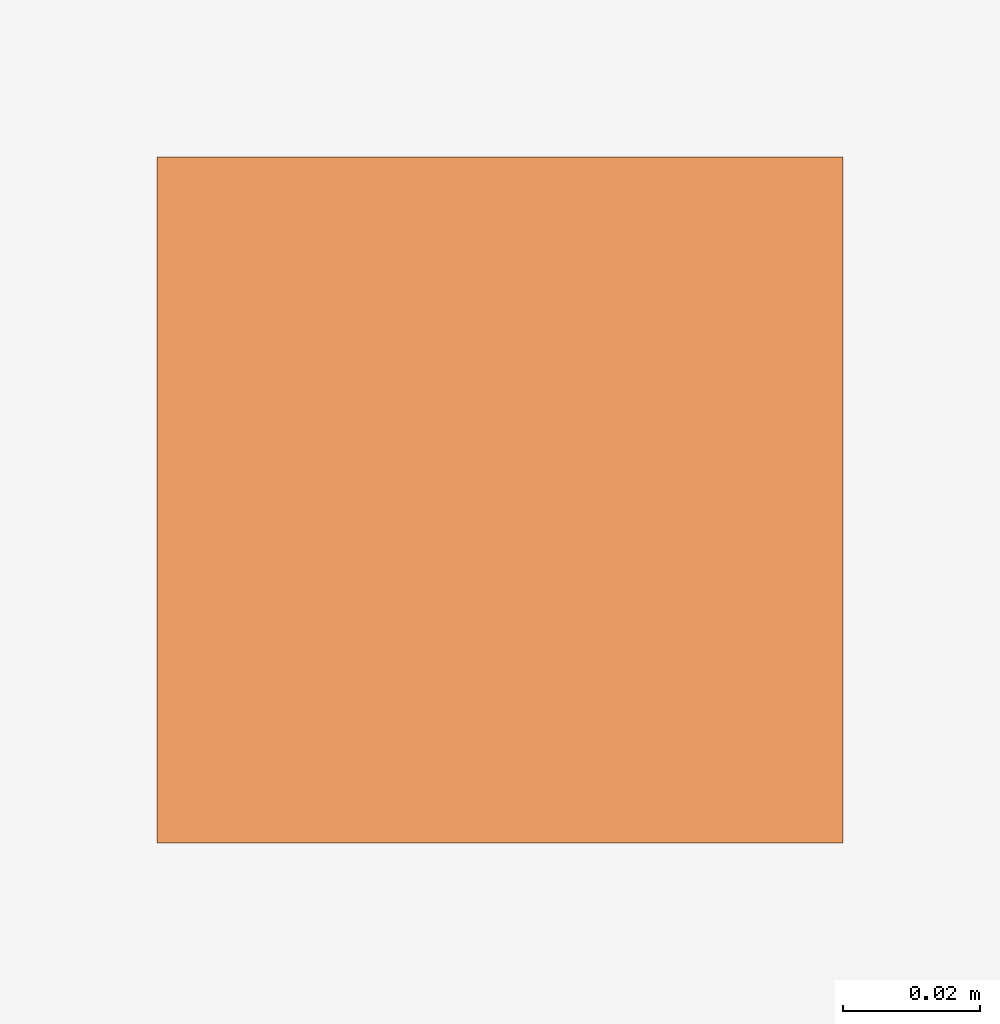
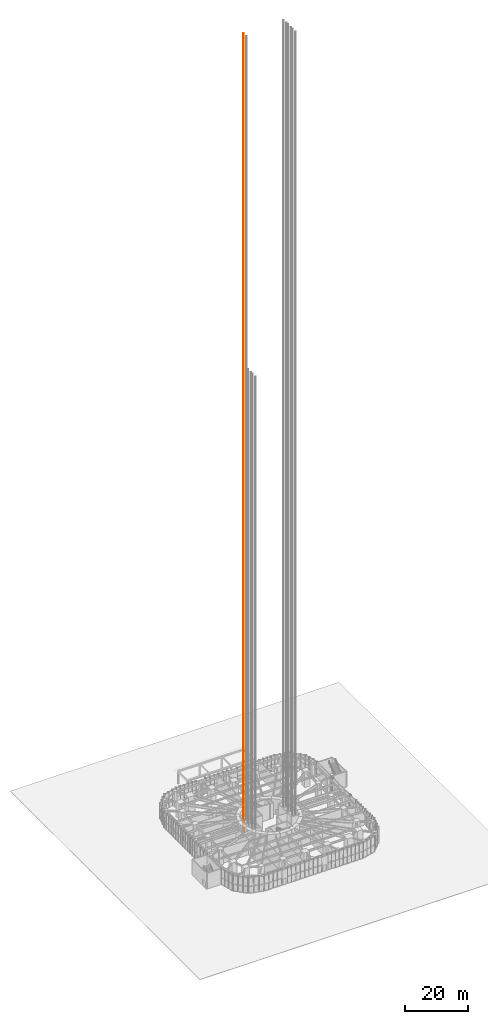
# One storey, part 37 of 43: 1 proxy.
"""IFC4 building model written with IfcOpenShell, lengths in metres."""

from ifc_helpers import new_model, si_unit, direction, frame, origin, origin_2d, place, context, subcontext, project, spatial, rectangle, extrude, material, type_object, element, save


model = new_model("IFC4")

# Units and contexts
model_context = context("Model", 3, precision=1e-05, world=origin(), true_north=direction((0.0, 1.0)))
body_context = subcontext(model_context, "Body", "Model", "MODEL_VIEW")
ifc_project = project(units=[si_unit("LENGTHUNIT", "METRE"), si_unit("AREAUNIT", "SQUARE_METRE"), si_unit("VOLUMEUNIT", "CUBIC_METRE"), si_unit("PLANEANGLEUNIT", "RADIAN"), si_unit("MASSUNIT", "GRAM", prefix="KILO")], contexts=[model_context])

# Site, building, storey
site_placement = place(None, origin())
site = spatial("IfcSite", under=ifc_project, at=site_placement, CompositionType="ELEMENT")
building_placement = place(site_placement, origin())
building = spatial("IfcBuilding", under=site, at=building_placement, Name="Nakasero Lantern House", CompositionType="ELEMENT")
storey_placement = place(building_placement, origin())
storey = spatial("IfcBuildingStorey", under=building, at=storey_placement, Name="L00", CompositionType="ELEMENT", Elevation=0.0)

# Proxy
ifc_material = material(Name="Steel S355", Category="steel")
building_element_proxy_type = type_object("IfcBuildingElementProxyType", Name="Lift guide rail", PredefinedType="ELEMENT", material=ifc_material)
proxy_placement = place(storey_placement, frame((-7.300048828125, 3.699951171875, 0.0), z_axis=(0.0, 0.0, 1.0), x_axis=(1.0, 0.0, 0.0)))
element("IfcBuildingElementProxy", 1, at=proxy_placement, inside=storey, type_object=building_element_proxy_type, Name="Guide rail FLW3 2", PredefinedType="ELEMENT", context=body_context, shape_type="SweptSolid", body=[
    extrude(rectangle(XDim=0.10009765625, YDim=0.10009765625, at=origin_2d()), origin(), (0.0, 0.0, 1.0), 308.0),
])

save(model, "model.ifc")
